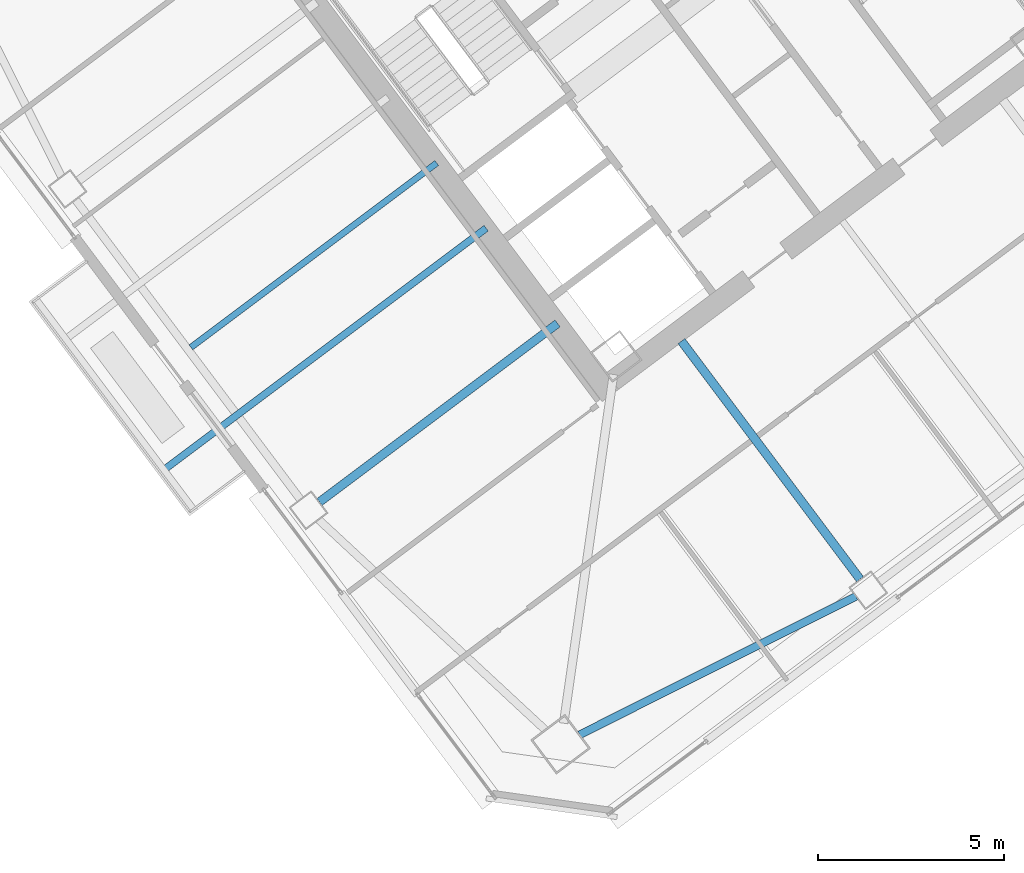
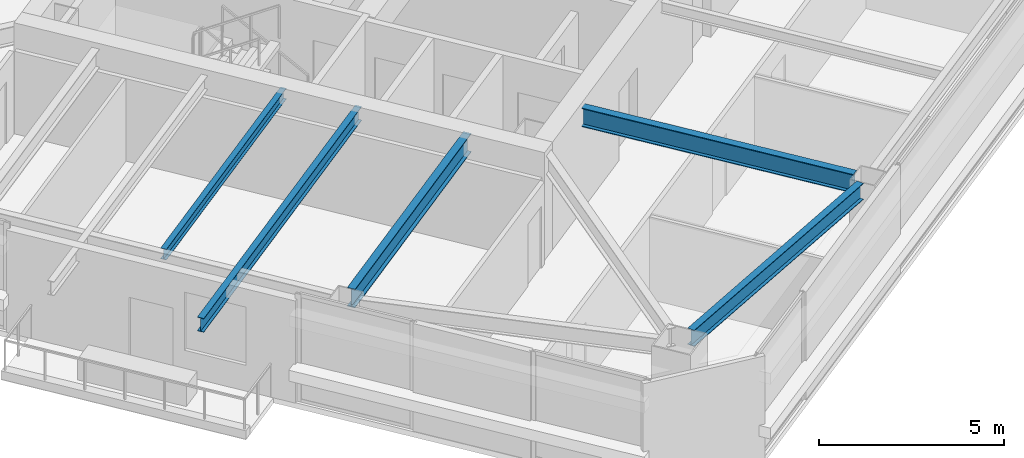
# One storey, part 18 of 41: 5 beams.
"""IFC4 building model written with IfcOpenShell, lengths in metres."""

import ifcopenshell
import ifcopenshell.guid

model = None  # the IFC model being written
_history = None  # IfcOwnerHistory: only IFC2X3 demands one
_inside = {}  # id of a spatial element -> (the spatial element, [elements in it])
_under = {}  # id of a project, library or spatial element -> (it, [spatial elements below it])
_declared = {}  # id of a project -> (the project, [libraries it declares])
_typed = {}  # id of a type object -> (the type object, [elements of that type])
_made_of = {}  # id of a material, layer set ... -> (it, [elements and type objects made of it])


def new_model(schema):
    """Start an empty IFC model of exactly this schema.

    Asked for "IFC4X3", IfcOpenShell would pick the latest addendum, in which some entities
    have other attributes; the version numbers below select the first issue.
    IFC2X3 requires an IfcOwnerHistory on every rooted entity: one is made here for all.
    """
    global model, _history
    if schema == "IFC4X3":
        model = ifcopenshell.file(schema_version=(4, 3, 0, 0))
    else:
        model = ifcopenshell.file(schema=schema)
    _inside.clear()
    _under.clear()
    _declared.clear()
    _typed.clear()
    _made_of.clear()
    _history = None
    if model.schema == "IFC2X3":
        org = make("IfcOrganization", Name="unknown")
        user = make(
            "IfcPersonAndOrganization",
            ThePerson=make("IfcPerson", FamilyName="unknown"),
            TheOrganization=org,
        )
        app = make(
            "IfcApplication",
            ApplicationDeveloper=org,
            Version="unknown",
            ApplicationFullName="unknown",
            ApplicationIdentifier="unknown",
        )
        _history = make(
            "IfcOwnerHistory",
            OwningUser=user,
            OwningApplication=app,
            ChangeAction="ADDED",
            CreationDate=0,
        )
    return model


def make(cls, **values):
    """One entity of the class cls with the attributes given. An attribute that is None is left unset."""
    return model.create_entity(
        cls, **{name: value for name, value in values.items() if value is not None}
    )


def rooted(cls, **values):
    """An entity with a GlobalId (a new one), such as an element, a storey or a relation."""
    return make(cls, GlobalId=ifcopenshell.guid.new(), OwnerHistory=_history, **values)


def si_unit(unit_type, name, prefix=None):
    """IfcSIUnit, for example si_unit("LENGTHUNIT", "METRE", prefix="MILLI")."""
    return make("IfcSIUnit", UnitType=unit_type, Prefix=prefix, Name=name)


def assignment(units):
    """IfcUnitAssignment: the units of a project."""
    return None if units is None else make("IfcUnitAssignment", Units=units)


def point(xyz):
    """IfcCartesianPoint."""
    return None if xyz is None else make("IfcCartesianPoint", Coordinates=xyz)


def direction(xyz):
    """IfcDirection."""
    return None if xyz is None else make("IfcDirection", DirectionRatios=xyz)


def frame(location, z_axis=None, x_axis=None):
    """IfcAxis2Placement3D, a coordinate frame: its origin and axes. An axis left out is left unset."""
    return make(
        "IfcAxis2Placement3D",
        Location=point(location),
        Axis=direction(z_axis),
        RefDirection=direction(x_axis),
    )


def frame_2d(location, x_axis=None):
    """IfcAxis2Placement2D, a coordinate frame in the plane: its origin and x axis."""
    return make(
        "IfcAxis2Placement2D", Location=point(location), RefDirection=direction(x_axis)
    )


def origin():
    """The frame at (0, 0, 0) with its axes left unset."""
    return frame((0.0, 0.0, 0.0))


def origin_2d():
    """The frame at (0, 0) in the plane with its x axis left unset."""
    return frame_2d((0.0, 0.0))


def place(relative_to, where):
    """IfcLocalPlacement: puts the frame where relative to a parent placement (None: the world)."""
    return make(
        "IfcLocalPlacement", PlacementRelTo=relative_to, RelativePlacement=where
    )


def context(
    kind, dimensions, precision=None, world=None, true_north=None, identifier=None
):
    """IfcGeometricRepresentationContext, for example the 3D "Model" context."""
    return make(
        "IfcGeometricRepresentationContext",
        ContextIdentifier=identifier,
        ContextType=kind,
        CoordinateSpaceDimension=dimensions,
        Precision=precision,
        WorldCoordinateSystem=world,
        TrueNorth=true_north,
    )


def subcontext(parent, identifier, kind, view, scale=None):
    """IfcGeometricRepresentationSubContext, for example "Body" below "Model"."""
    return make(
        "IfcGeometricRepresentationSubContext",
        ContextIdentifier=identifier,
        ContextType=kind,
        ParentContext=parent,
        TargetScale=scale,
        TargetView=view,
    )


def project(units=None, contexts=None):
    """IfcProject with its units and contexts."""
    return rooted(
        "IfcProject",
        Name="project",
        RepresentationContexts=contexts,
        UnitsInContext=assignment(units),
    )


def spatial(cls, under=None, at=None, **own):
    """A site, building, storey or space (cls), placed at a placement, below another one or the project."""
    s = rooted(cls, ObjectPlacement=at, **own)
    if under is not None:
        _under.setdefault(under.id(), (under, []))[1].append(s)
    return s


def profile(cls, at=None, kind="AREA", **sizes):
    """A parametric profile (cls). Its sizes go by their IFC names, for example OverallWidth=200.0."""
    return make(cls, ProfileType=kind, Position=at, **sizes)


def i_section(**sizes):
    """IfcIShapeProfileDef."""
    return profile("IfcIShapeProfileDef", **sizes)


def extrude(swept, where, along, depth):
    """IfcExtrudedAreaSolid: the profile swept, set in the frame where, extruded along a direction by depth."""
    return make(
        "IfcExtrudedAreaSolid",
        SweptArea=swept,
        Position=where,
        ExtrudedDirection=direction(along),
        Depth=depth,
    )


def shape(context_of_items, identifier, shape_type, items):
    """IfcShapeRepresentation: the items that make up one representation, for example the "Body"."""
    return make(
        "IfcShapeRepresentation",
        ContextOfItems=context_of_items,
        RepresentationIdentifier=identifier,
        RepresentationType=shape_type,
        Items=items,
    )


def material(Name=None, Category=None):
    """IfcMaterial."""
    return make("IfcMaterial", Name=Name, Category=Category)


def material_profile(
    of_material, cross_section, Name=None, Category=None, Priority=None
):
    """IfcMaterialProfile: a cross section and its material."""
    return make(
        "IfcMaterialProfile",
        Name=Name,
        Material=of_material,
        Profile=cross_section,
        Priority=Priority,
        Category=Category,
    )


def profile_set(profiles, Name=None, composite=None):
    """IfcMaterialProfileSet."""
    return make(
        "IfcMaterialProfileSet",
        Name=Name,
        MaterialProfiles=profiles,
        CompositeProfile=composite,
    )


def made_of(thing, what):
    """Note that an element or type object is made of a material, layer set ...; save() writes the relation."""
    if what is not None:
        _made_of.setdefault(what.id(), (what, []))[1].append(thing)
    return thing


def type_object(cls, material=None, **own):
    """A type object (cls), such as IfcWallType, which elements share."""
    return made_of(rooted(cls, **own), material)


def element(
    cls,
    number,
    at=None,
    inside=None,
    cuts=None,
    type_object=None,
    material=None,
    context=None,
    identifier="Body",
    shape_type=None,
    held_by="IfcProductDefinitionShape",
    body=None,
    shapes=None,
    **own,
):
    """One element of the class cls, such as IfcWall. Its Tag is "e" and its number.

    at: its placement. inside: the storey or other place that contains it. cuts: it is an
    opening in that element (IfcRelVoidsElement). A single representation is given by context,
    identifier, shape_type and body (its items); several are given by shapes. held_by: the class
    of the entity that holds the representations. save() writes the other relations.
    """
    e = rooted(cls, Tag="e%d" % number, ObjectPlacement=at, **own)
    if body is not None:
        shapes = [shape(context, identifier, shape_type, body)]
    if shapes is not None:
        e.Representation = make(held_by, Representations=shapes)
    if inside is not None:
        _inside.setdefault(inside.id(), (inside, []))[1].append(e)
    if cuts is not None:
        rooted(
            "IfcRelVoidsElement", RelatingBuildingElement=cuts, RelatedOpeningElement=e
        )
    if type_object is not None:
        _typed.setdefault(type_object.id(), (type_object, []))[1].append(e)
    return made_of(e, material)


def aggregate(whole, parts):
    """IfcRelAggregates: a whole, such as a stair, and the parts it consists of."""
    return rooted("IfcRelAggregates", RelatingObject=whole, RelatedObjects=parts)


def save(model, path):
    """Write the relations noted so far, then the file.

    IfcRelAggregates (storeys below a building ...), IfcRelContainedInSpatialStructure (elements
    in a storey), IfcRelDefinesByType, IfcRelAssociatesMaterial and IfcRelDeclares: one each for
    every whole, place, type object, material and project.
    """
    for whole, parts in _under.values():
        aggregate(whole, parts)
    for where, things in _inside.values():
        rooted(
            "IfcRelContainedInSpatialStructure",
            RelatedElements=things,
            RelatingStructure=where,
        )
    for kind, things in _typed.values():
        rooted("IfcRelDefinesByType", RelatedObjects=things, RelatingType=kind)
    for what, things in _made_of.values():
        rooted("IfcRelAssociatesMaterial", RelatedObjects=things, RelatingMaterial=what)
    for by, libraries in _declared.values():
        rooted("IfcRelDeclares", RelatingContext=by, RelatedDefinitions=libraries)
    model.write(path)


model = new_model("IFC4")

# Units and contexts
model_context = context("Model", 3, precision=1e-05, world=origin(), true_north=direction((0.0, 1.0)))
body_context = subcontext(model_context, "Body", "Model", "MODEL_VIEW")
ifc_project = project(units=[si_unit("LENGTHUNIT", "METRE"), si_unit("AREAUNIT", "SQUARE_METRE"), si_unit("VOLUMEUNIT", "CUBIC_METRE"), si_unit("PLANEANGLEUNIT", "RADIAN"), si_unit("MASSUNIT", "GRAM", prefix="KILO")], contexts=[model_context])

# Site, building, storey
site_placement = place(None, origin())
site = spatial("IfcSite", under=ifc_project, at=site_placement, CompositionType="ELEMENT")
building_placement = place(site_placement, origin())
building = spatial("IfcBuilding", under=site, at=building_placement, Name="Tashvorn Skyway Center", CompositionType="ELEMENT")
storey_placement = place(building_placement, frame((0.0, 0.0, 171.199951171875)))
storey = spatial("IfcBuildingStorey", under=building, at=storey_placement, Name="L46", CompositionType="ELEMENT", Elevation=171.199951171875)

# Beams
ifc_material = material(Name="Steel ASTM A992 Grade 50", Category="steel")
ifc_material_profile_1 = material_profile(ifc_material, i_section(OverallWidth=0.22998046875, OverallDepth=0.616943359375, WebThickness=0.01318359375, FlangeThickness=0.022216796875, at=origin_2d()), Name="W24X94")
ifc_profile_set_1 = profile_set([ifc_material_profile_1], Name="Steel ASTM A992 Grade 50")
beam_type_1 = type_object("IfcBeamType", Name="BM-BEAM-W24X94", PredefinedType="BEAM", material=ifc_profile_set_1)
beam_1_placement = place(storey_placement, frame((119.14794921875, 16.135986328125, 3.0615234375), z_axis=(-0.60000976564, 0.799992675677, 0.0), x_axis=(-0.799992675677, -0.60000976564, 0.0)))
element("IfcBeam", 1, at=beam_1_placement, inside=storey, type_object=beam_type_1, Name="Tower 2 L46 Primary Floor Girder FC-S1", PredefinedType="BEAM", context=body_context, shape_type="SweptSolid", body=[
    extrude(i_section(OverallWidth=0.22998046875, OverallDepth=0.616943359375, WebThickness=0.01318359375, FlangeThickness=0.022216796875, at=origin_2d()), origin(), (0.0, 0.0, 1.0), 8.0),
])
beam_2_placement = place(storey_placement, frame((104.615966796875, 18.2119140625, 3.0615234375), z_axis=(0.800003662027, 0.599995117266, 0.0), x_axis=(-0.599995117266, 0.800003662027, 0.0)))
element("IfcBeam", 2, at=beam_2_placement, inside=storey, type_object=beam_type_1, Name="Tower 2 L46 Primary Floor Girder FC-W2", PredefinedType="BEAM", context=body_context, shape_type="SweptSolid", body=[
    extrude(i_section(OverallWidth=0.22998046875, OverallDepth=0.616943359375, WebThickness=0.01318359375, FlangeThickness=0.022216796875, at=origin_2d()), origin(), (0.0, 0.0, 1.0), 8.000244140625),
])
ifc_material_profile_2 = material_profile(ifc_material, i_section(OverallWidth=0.1708984375, OverallDepth=0.35498046875, WebThickness=0.007080078125, FlangeThickness=0.01171875, at=origin_2d()), Name="W14X34")
ifc_profile_set_2 = profile_set([ifc_material_profile_2], Name="Steel ASTM A992 Grade 50")
beam_type_2 = type_object("IfcBeamType", Name="BM-JOIST-W14X34", PredefinedType="JOIST", material=ifc_profile_set_2)
beam_3_placement = place(storey_placement, frame((107.76806640625, 27.325927734375, 3.192626953125), z_axis=(-0.800003545708, -0.59999527236, 0.0), x_axis=(0.59999527236, -0.800003545708, 0.0)))
element("IfcBeam", 3, at=beam_3_placement, inside=storey, type_object=beam_type_2, Name="Tower 2 L46 Secondary Composite Joist JW", PredefinedType="JOIST", context=body_context, shape_type="SweptSolid", body=[
    extrude(i_section(OverallWidth=0.1708984375, OverallDepth=0.35498046875, WebThickness=0.007080078125, FlangeThickness=0.01171875, at=origin_2d()), origin(), (0.0, 0.0, 1.0), 8.2626953125),
])
ifc_material_profile_3 = material_profile(ifc_material, i_section(OverallWidth=0.19091796875, OverallDepth=0.4599609375, WebThickness=0.010009765625, FlangeThickness=0.01611328125, at=origin_2d()), Name="W18X55")
ifc_profile_set_3 = profile_set([ifc_material_profile_3], Name="Steel ASTM A992 Grade 50")
beam_type_3 = type_object("IfcBeamType", Name="BM-JOIST-W18X55", PredefinedType="JOIST", material=ifc_profile_set_3)
beam_4_placement = place(storey_placement, frame((109.095947265625, 25.572021484375, 3.14013671875), z_axis=(-0.800002695192, -0.599996406394, 0.0), x_axis=(0.599996406394, -0.800002695192, 0.0)))
element("IfcBeam", 4, at=beam_4_placement, inside=storey, type_object=beam_type_3, Name="Tower 2 L47 Terrace Cantilever Outlooker 1", PredefinedType="JOIST", context=body_context, shape_type="SweptSolid", body=[
    extrude(i_section(OverallWidth=0.19091796875, OverallDepth=0.4599609375, WebThickness=0.010009765625, FlangeThickness=0.01611328125, at=origin_2d()), origin(), (0.0, 0.0, 1.0), 10.8701171875),
])
ifc_material_profile_4 = material_profile(ifc_material, i_section(OverallWidth=0.2109375, OverallDepth=0.5390625, WebThickness=0.01171875, FlangeThickness=0.018798828125, at=origin_2d()), Name="W21X73")
ifc_profile_set_4 = profile_set([ifc_material_profile_4], Name="Steel ASTM A992 Grade 50")
beam_type_4 = type_object("IfcBeamType", Name="BM-SPANDREL-W21X73", PredefinedType="SPANDREL", material=ifc_profile_set_4)
beam_5_placement = place(storey_placement, frame((111.609619140625, 11.955078125, 3.1005859375), z_axis=(0.894209637559, 0.447648438059, 0.0), x_axis=(-0.447648438059, 0.894209637559, 0.0)))
element("IfcBeam", 5, at=beam_5_placement, inside=storey, type_object=beam_type_4, Name="Tower 2 L46 Spandrel Beam 01", PredefinedType="SPANDREL", context=body_context, shape_type="SweptSolid", body=[
    extrude(i_section(OverallWidth=0.2109375, OverallDepth=0.5390625, WebThickness=0.01171875, FlangeThickness=0.018798828125, at=origin_2d()), origin(), (0.0, 0.0, 1.0), 8.308349609375),
])

save(model, "model.ifc")
